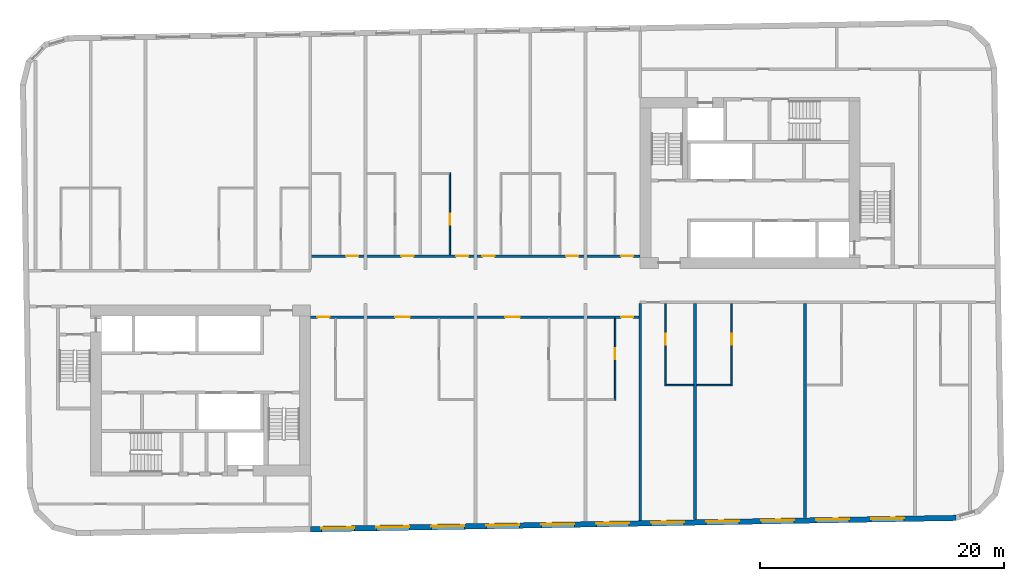
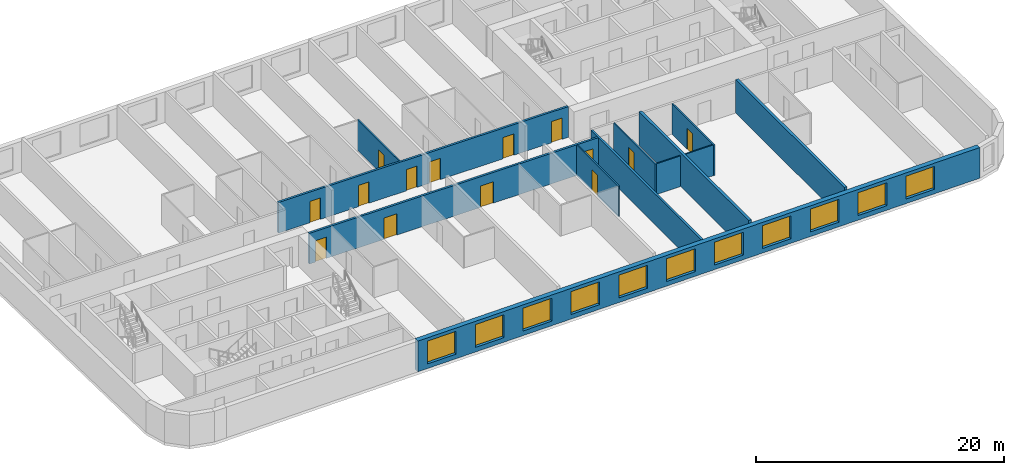
# One storey, part 4 of 11: 14 doors, 12 walls, 11 windows, 25 openings.
"""IFC4 building model written with IfcOpenShell, lengths in metres."""

import ifcopenshell
import ifcopenshell.guid

model = None  # the IFC model being written
_history = None  # IfcOwnerHistory: only IFC2X3 demands one
_inside = {}  # id of a spatial element -> (the spatial element, [elements in it])
_under = {}  # id of a project, library or spatial element -> (it, [spatial elements below it])
_declared = {}  # id of a project -> (the project, [libraries it declares])
_typed = {}  # id of a type object -> (the type object, [elements of that type])
_made_of = {}  # id of a material, layer set ... -> (it, [elements and type objects made of it])


def new_model(schema):
    """Start an empty IFC model of exactly this schema.

    Asked for "IFC4X3", IfcOpenShell would pick the latest addendum, in which some entities
    have other attributes; the version numbers below select the first issue.
    IFC2X3 requires an IfcOwnerHistory on every rooted entity: one is made here for all.
    """
    global model, _history
    if schema == "IFC4X3":
        model = ifcopenshell.file(schema_version=(4, 3, 0, 0))
    else:
        model = ifcopenshell.file(schema=schema)
    _inside.clear()
    _under.clear()
    _declared.clear()
    _typed.clear()
    _made_of.clear()
    _history = None
    if model.schema == "IFC2X3":
        org = make("IfcOrganization", Name="unknown")
        user = make(
            "IfcPersonAndOrganization",
            ThePerson=make("IfcPerson", FamilyName="unknown"),
            TheOrganization=org,
        )
        app = make(
            "IfcApplication",
            ApplicationDeveloper=org,
            Version="unknown",
            ApplicationFullName="unknown",
            ApplicationIdentifier="unknown",
        )
        _history = make(
            "IfcOwnerHistory",
            OwningUser=user,
            OwningApplication=app,
            ChangeAction="ADDED",
            CreationDate=0,
        )
    return model


def make(cls, **values):
    """One entity of the class cls with the attributes given. An attribute that is None is left unset."""
    return model.create_entity(
        cls, **{name: value for name, value in values.items() if value is not None}
    )


def rooted(cls, **values):
    """An entity with a GlobalId (a new one), such as an element, a storey or a relation."""
    return make(cls, GlobalId=ifcopenshell.guid.new(), OwnerHistory=_history, **values)


def si_unit(unit_type, name, prefix=None):
    """IfcSIUnit, for example si_unit("LENGTHUNIT", "METRE", prefix="MILLI")."""
    return make("IfcSIUnit", UnitType=unit_type, Prefix=prefix, Name=name)


def assignment(units):
    """IfcUnitAssignment: the units of a project."""
    return None if units is None else make("IfcUnitAssignment", Units=units)


def point(xyz):
    """IfcCartesianPoint."""
    return None if xyz is None else make("IfcCartesianPoint", Coordinates=xyz)


def direction(xyz):
    """IfcDirection."""
    return None if xyz is None else make("IfcDirection", DirectionRatios=xyz)


def frame(location, z_axis=None, x_axis=None):
    """IfcAxis2Placement3D, a coordinate frame: its origin and axes. An axis left out is left unset."""
    return make(
        "IfcAxis2Placement3D",
        Location=point(location),
        Axis=direction(z_axis),
        RefDirection=direction(x_axis),
    )


def frame_2d(location, x_axis=None):
    """IfcAxis2Placement2D, a coordinate frame in the plane: its origin and x axis."""
    return make(
        "IfcAxis2Placement2D", Location=point(location), RefDirection=direction(x_axis)
    )


def origin():
    """The frame at (0, 0, 0) with its axes left unset."""
    return frame((0.0, 0.0, 0.0))


def place(relative_to, where):
    """IfcLocalPlacement: puts the frame where relative to a parent placement (None: the world)."""
    return make(
        "IfcLocalPlacement", PlacementRelTo=relative_to, RelativePlacement=where
    )


def context(
    kind, dimensions, precision=None, world=None, true_north=None, identifier=None
):
    """IfcGeometricRepresentationContext, for example the 3D "Model" context."""
    return make(
        "IfcGeometricRepresentationContext",
        ContextIdentifier=identifier,
        ContextType=kind,
        CoordinateSpaceDimension=dimensions,
        Precision=precision,
        WorldCoordinateSystem=world,
        TrueNorth=true_north,
    )


def subcontext(parent, identifier, kind, view, scale=None):
    """IfcGeometricRepresentationSubContext, for example "Body" below "Model"."""
    return make(
        "IfcGeometricRepresentationSubContext",
        ContextIdentifier=identifier,
        ContextType=kind,
        ParentContext=parent,
        TargetScale=scale,
        TargetView=view,
    )


def project(units=None, contexts=None):
    """IfcProject with its units and contexts."""
    return rooted(
        "IfcProject",
        Name="project",
        RepresentationContexts=contexts,
        UnitsInContext=assignment(units),
    )


def spatial(cls, under=None, at=None, **own):
    """A site, building, storey or space (cls), placed at a placement, below another one or the project."""
    s = rooted(cls, ObjectPlacement=at, **own)
    if under is not None:
        _under.setdefault(under.id(), (under, []))[1].append(s)
    return s


def profile(cls, at=None, kind="AREA", **sizes):
    """A parametric profile (cls). Its sizes go by their IFC names, for example OverallWidth=200.0."""
    return make(cls, ProfileType=kind, Position=at, **sizes)


def rectangle(**sizes):
    """IfcRectangleProfileDef."""
    return profile("IfcRectangleProfileDef", **sizes)


def extrude(swept, where, along, depth):
    """IfcExtrudedAreaSolid: the profile swept, set in the frame where, extruded along a direction by depth."""
    return make(
        "IfcExtrudedAreaSolid",
        SweptArea=swept,
        Position=where,
        ExtrudedDirection=direction(along),
        Depth=depth,
    )


def shape(context_of_items, identifier, shape_type, items):
    """IfcShapeRepresentation: the items that make up one representation, for example the "Body"."""
    return make(
        "IfcShapeRepresentation",
        ContextOfItems=context_of_items,
        RepresentationIdentifier=identifier,
        RepresentationType=shape_type,
        Items=items,
    )


def material(Name=None, Category=None):
    """IfcMaterial."""
    return make("IfcMaterial", Name=Name, Category=Category)


def layer(
    of_material, thickness, ventilated=None, Name=None, Category=None, Priority=None
):
    """IfcMaterialLayer: one layer of a wall or slab, of a material (None: an air gap)."""
    return make(
        "IfcMaterialLayer",
        Material=of_material,
        LayerThickness=thickness,
        IsVentilated=ventilated,
        Name=Name,
        Category=Category,
        Priority=Priority,
    )


def layer_set(layers, Name=None):
    """IfcMaterialLayerSet."""
    return make("IfcMaterialLayerSet", MaterialLayers=layers, LayerSetName=Name)


def made_of(thing, what):
    """Note that an element or type object is made of a material, layer set ...; save() writes the relation."""
    if what is not None:
        _made_of.setdefault(what.id(), (what, []))[1].append(thing)
    return thing


def type_object(cls, material=None, **own):
    """A type object (cls), such as IfcWallType, which elements share."""
    return made_of(rooted(cls, **own), material)


def element(
    cls,
    number,
    at=None,
    inside=None,
    cuts=None,
    type_object=None,
    material=None,
    context=None,
    identifier="Body",
    shape_type=None,
    held_by="IfcProductDefinitionShape",
    body=None,
    shapes=None,
    **own,
):
    """One element of the class cls, such as IfcWall. Its Tag is "e" and its number.

    at: its placement. inside: the storey or other place that contains it. cuts: it is an
    opening in that element (IfcRelVoidsElement). A single representation is given by context,
    identifier, shape_type and body (its items); several are given by shapes. held_by: the class
    of the entity that holds the representations. save() writes the other relations.
    """
    e = rooted(cls, Tag="e%d" % number, ObjectPlacement=at, **own)
    if body is not None:
        shapes = [shape(context, identifier, shape_type, body)]
    if shapes is not None:
        e.Representation = make(held_by, Representations=shapes)
    if inside is not None:
        _inside.setdefault(inside.id(), (inside, []))[1].append(e)
    if cuts is not None:
        rooted(
            "IfcRelVoidsElement", RelatingBuildingElement=cuts, RelatedOpeningElement=e
        )
    if type_object is not None:
        _typed.setdefault(type_object.id(), (type_object, []))[1].append(e)
    return made_of(e, material)


def fill(opening, filler):
    """IfcRelFillsElement: the door or window that sits in an opening."""
    return rooted(
        "IfcRelFillsElement",
        RelatingOpeningElement=opening,
        RelatedBuildingElement=filler,
    )


def aggregate(whole, parts):
    """IfcRelAggregates: a whole, such as a stair, and the parts it consists of."""
    return rooted("IfcRelAggregates", RelatingObject=whole, RelatedObjects=parts)


def save(model, path):
    """Write the relations noted so far, then the file.

    IfcRelAggregates (storeys below a building ...), IfcRelContainedInSpatialStructure (elements
    in a storey), IfcRelDefinesByType, IfcRelAssociatesMaterial and IfcRelDeclares: one each for
    every whole, place, type object, material and project.
    """
    for whole, parts in _under.values():
        aggregate(whole, parts)
    for where, things in _inside.values():
        rooted(
            "IfcRelContainedInSpatialStructure",
            RelatedElements=things,
            RelatingStructure=where,
        )
    for kind, things in _typed.values():
        rooted("IfcRelDefinesByType", RelatedObjects=things, RelatingType=kind)
    for what, things in _made_of.values():
        rooted("IfcRelAssociatesMaterial", RelatedObjects=things, RelatingMaterial=what)
    for by, libraries in _declared.values():
        rooted("IfcRelDeclares", RelatingContext=by, RelatedDefinitions=libraries)
    model.write(path)


model = new_model("IFC4")

# Units and contexts
model_context = context("Model", 3, precision=1e-05, world=origin(), true_north=direction((0.0, 1.0)))
body_context = subcontext(model_context, "Body", "Model", "MODEL_VIEW")
ifc_project = project(units=[si_unit("LENGTHUNIT", "METRE"), si_unit("AREAUNIT", "SQUARE_METRE"), si_unit("VOLUMEUNIT", "CUBIC_METRE"), si_unit("PLANEANGLEUNIT", "RADIAN"), si_unit("MASSUNIT", "GRAM", prefix="KILO")], contexts=[model_context])

# Site, building, storey
site_placement = place(None, origin())
site = spatial("IfcSite", under=ifc_project, at=site_placement, CompositionType="ELEMENT")
building_placement = place(site_placement, origin())
building = spatial("IfcBuilding", under=site, at=building_placement, Name="Kajstack Hotel Tower", CompositionType="ELEMENT")
storey_placement = place(building_placement, frame((0.0, 0.0, 221.0)))
storey = spatial("IfcBuildingStorey", under=building, at=storey_placement, Name="L53", CompositionType="ELEMENT", Elevation=221.0)

# Wall, openings, doors
ifc_material_1 = material(Name="Gypsum board on steel studs, mineral wool", Category="steel")
ifc_layer_1 = layer(ifc_material_1, 0.199951171875)
ifc_layer_set_1 = layer_set([ifc_layer_1], Name="Corridor wall 200")
wall_type_1 = type_object("IfcWallType", Name="Corridor wall 200", PredefinedType="PARTITIONING", material=ifc_layer_set_1)
wall_1_placement = place(storey_placement, frame((-13.5, 2.5, 0.0), z_axis=(0.0, 0.0, 1.0), x_axis=(1.0, 0.0, 0.0)))
wall_1 = element("IfcWall", 1, at=wall_1_placement, inside=storey, type_object=wall_type_1, Name="G-wall-L53-004", PredefinedType="PARTITIONING", context=body_context, shape_type="SweptSolid", body=[
    extrude(rectangle(XDim=27.0, YDim=0.199951171875, at=frame_2d((13.5, 0.0))), origin(), (0.0, 0.0, 1.0), 3.02001953125),
])
opening_1_placement = place(wall_1_placement, frame((2.925048828125, 0.0, 0.0)))
opening_1 = element("IfcOpeningElement", 2, at=opening_1_placement, cuts=wall_1, Name="Opening 53009", PredefinedType="OPENING", context=body_context, shape_type="SweptSolid", body=[
    extrude(rectangle(XDim=1.0, YDim=2.10009765625, at=frame_2d((0.5, 1.050048828125))), frame((0.0, 0.10986328125, 0.0), z_axis=(0.0, -1.0, 0.0), x_axis=(1.0, 0.0, 0.0)), (0.0, 0.0, 1.0), 0.219970703125),
])
opening_2_placement = place(wall_1_placement, frame((7.449951171875, 0.0, 0.0)))
opening_2 = element("IfcOpeningElement", 3, at=opening_2_placement, cuts=wall_1, Name="Opening 53011", PredefinedType="OPENING", context=body_context, shape_type="SweptSolid", body=[
    extrude(rectangle(XDim=1.0, YDim=2.10009765625, at=frame_2d((0.5, 1.050048828125))), frame((0.0, 0.10986328125, 0.0), z_axis=(0.0, -1.0, 0.0), x_axis=(1.0, 0.0, 0.0)), (0.0, 0.0, 1.0), 0.219970703125),
])
opening_3_placement = place(wall_1_placement, frame((11.925048828125, 0.0, 0.0)))
opening_3 = element("IfcOpeningElement", 4, at=opening_3_placement, cuts=wall_1, Name="Opening 53013", PredefinedType="OPENING", context=body_context, shape_type="SweptSolid", body=[
    extrude(rectangle(XDim=1.0, YDim=2.10009765625, at=frame_2d((0.5, 1.050048828125))), frame((0.0, 0.10986328125, 0.0), z_axis=(0.0, -1.0, 0.0), x_axis=(1.0, 0.0, 0.0)), (0.0, 0.0, 1.0), 0.219970703125),
])
opening_4_placement = place(wall_1_placement, frame((14.074951171875, 0.0, 0.0)))
opening_4 = element("IfcOpeningElement", 5, at=opening_4_placement, cuts=wall_1, Name="Opening 53015", PredefinedType="OPENING", context=body_context, shape_type="SweptSolid", body=[
    extrude(rectangle(XDim=1.0, YDim=2.10009765625, at=frame_2d((0.5, 1.050048828125))), frame((0.0, 0.10986328125, 0.0), z_axis=(0.0, -1.0, 0.0), x_axis=(1.0, 0.0, 0.0)), (0.0, 0.0, 1.0), 0.219970703125),
])
opening_5_placement = place(wall_1_placement, frame((20.925048828125, 0.0, 0.0)))
opening_5 = element("IfcOpeningElement", 6, at=opening_5_placement, cuts=wall_1, Name="Opening 53017", PredefinedType="OPENING", context=body_context, shape_type="SweptSolid", body=[
    extrude(rectangle(XDim=1.0, YDim=2.10009765625, at=frame_2d((0.5, 1.050048828125))), frame((0.0, 0.10986328125, 0.0), z_axis=(0.0, -1.0, 0.0), x_axis=(1.0, 0.0, 0.0)), (0.0, 0.0, 1.0), 0.219970703125),
])
opening_6_placement = place(wall_1_placement, frame((25.425048828125, 0.0, 0.0)))
opening_6 = element("IfcOpeningElement", 7, at=opening_6_placement, cuts=wall_1, Name="Opening 53019", PredefinedType="OPENING", context=body_context, shape_type="SweptSolid", body=[
    extrude(rectangle(XDim=1.0, YDim=2.10009765625, at=frame_2d((0.5, 1.050048828125))), frame((0.0, 0.10986328125, 0.0), z_axis=(0.0, -1.0, 0.0), x_axis=(1.0, 0.0, 0.0)), (0.0, 0.0, 1.0), 0.219970703125),
])
ifc_material_2 = material(Name="Oak veneer on timber core, fire-rated leaf", Category="wood")
door_type_1 = type_object("IfcDoorType", Name="Flat entrance door 1000", OperationType="SINGLE_SWING_LEFT", PredefinedType="DOOR", material=ifc_material_2)
door_1_placement = place(opening_1_placement, origin())
door_1 = element("IfcDoor", 8, at=door_1_placement, inside=storey, type_object=door_type_1, Name="G-door-L53-09", OperationType="SINGLE_SWING_RIGHT", OverallHeight=2.10009765625, OverallWidth=1.0, PredefinedType="DOOR", context=body_context, shape_type="SweptSolid", body=[
    extrude(rectangle(XDim=1.0, YDim=2.10009765625, at=frame_2d((0.5, 1.050048828125))), frame((0.0, 0.02490234375, 0.0), z_axis=(0.0, -1.0, 0.0), x_axis=(1.0, 0.0, 0.0)), (0.0, 0.0, 1.0), 0.050048828125),
])
fill(opening_1, door_1)
door_2_placement = place(opening_2_placement, origin())
door_2 = element("IfcDoor", 9, at=door_2_placement, inside=storey, type_object=door_type_1, Name="G-door-L53-11", OperationType="SINGLE_SWING_LEFT", OverallHeight=2.10009765625, OverallWidth=1.0, PredefinedType="DOOR", context=body_context, shape_type="SweptSolid", body=[
    extrude(rectangle(XDim=1.0, YDim=2.10009765625, at=frame_2d((0.5, 1.050048828125))), frame((0.0, 0.02490234375, 0.0), z_axis=(0.0, -1.0, 0.0), x_axis=(1.0, 0.0, 0.0)), (0.0, 0.0, 1.0), 0.050048828125),
])
fill(opening_2, door_2)
door_3_placement = place(opening_3_placement, origin())
door_3 = element("IfcDoor", 10, at=door_3_placement, inside=storey, type_object=door_type_1, Name="G-door-L53-13", OperationType="SINGLE_SWING_LEFT", OverallHeight=2.10009765625, OverallWidth=1.0, PredefinedType="DOOR", context=body_context, shape_type="SweptSolid", body=[
    extrude(rectangle(XDim=1.0, YDim=2.10009765625, at=frame_2d((0.5, 1.050048828125))), frame((0.0, 0.02490234375, 0.0), z_axis=(0.0, -1.0, 0.0), x_axis=(1.0, 0.0, 0.0)), (0.0, 0.0, 1.0), 0.050048828125),
])
fill(opening_3, door_3)
door_4_placement = place(opening_4_placement, origin())
door_4 = element("IfcDoor", 11, at=door_4_placement, inside=storey, type_object=door_type_1, Name="G-door-L53-15", OperationType="SINGLE_SWING_RIGHT", OverallHeight=2.10009765625, OverallWidth=1.0, PredefinedType="DOOR", context=body_context, shape_type="SweptSolid", body=[
    extrude(rectangle(XDim=1.0, YDim=2.10009765625, at=frame_2d((0.5, 1.050048828125))), frame((0.0, 0.02490234375, 0.0), z_axis=(0.0, -1.0, 0.0), x_axis=(1.0, 0.0, 0.0)), (0.0, 0.0, 1.0), 0.050048828125),
])
fill(opening_4, door_4)
door_5_placement = place(opening_5_placement, origin())
door_5 = element("IfcDoor", 12, at=door_5_placement, inside=storey, type_object=door_type_1, Name="G-door-L53-17", OperationType="SINGLE_SWING_RIGHT", OverallHeight=2.10009765625, OverallWidth=1.0, PredefinedType="DOOR", context=body_context, shape_type="SweptSolid", body=[
    extrude(rectangle(XDim=1.0, YDim=2.10009765625, at=frame_2d((0.5, 1.050048828125))), frame((0.0, 0.02490234375, 0.0), z_axis=(0.0, -1.0, 0.0), x_axis=(1.0, 0.0, 0.0)), (0.0, 0.0, 1.0), 0.050048828125),
])
fill(opening_5, door_5)
door_6_placement = place(opening_6_placement, origin())
door_6 = element("IfcDoor", 13, at=door_6_placement, inside=storey, type_object=door_type_1, Name="G-door-L53-19", OperationType="SINGLE_SWING_LEFT", OverallHeight=2.10009765625, OverallWidth=1.0, PredefinedType="DOOR", context=body_context, shape_type="SweptSolid", body=[
    extrude(rectangle(XDim=1.0, YDim=2.10009765625, at=frame_2d((0.5, 1.050048828125))), frame((0.0, 0.02490234375, 0.0), z_axis=(0.0, -1.0, 0.0), x_axis=(1.0, 0.0, 0.0)), (0.0, 0.0, 1.0), 0.050048828125),
])
fill(opening_6, door_6)

wall_2_placement = place(storey_placement, frame((-13.5, -2.5, 0.0), z_axis=(0.0, 0.0, 1.0), x_axis=(1.0, 0.0, 0.0)))
wall_2 = element("IfcWall", 14, at=wall_2_placement, inside=storey, type_object=wall_type_1, Name="G-wall-L53-029", PredefinedType="PARTITIONING", context=body_context, shape_type="SweptSolid", body=[
    extrude(rectangle(XDim=27.0, YDim=0.199951171875, at=frame_2d((13.5, 0.0))), origin(), (0.0, 0.0, 1.0), 3.02001953125),
])
opening_7_placement = place(wall_2_placement, frame((0.574951171875, 0.0, 0.0)))
opening_7 = element("IfcOpeningElement", 15, at=opening_7_placement, cuts=wall_2, Name="Opening 53021", PredefinedType="OPENING", context=body_context, shape_type="SweptSolid", body=[
    extrude(rectangle(XDim=1.0, YDim=2.10009765625, at=frame_2d((0.5, 1.050048828125))), frame((0.0, 0.10986328125, 0.0), z_axis=(0.0, -1.0, 0.0), x_axis=(1.0, 0.0, 0.0)), (0.0, 0.0, 1.0), 0.219970703125),
])
opening_8_placement = place(wall_2_placement, frame((6.93798828125, 0.0, 0.0)))
opening_8 = element("IfcOpeningElement", 16, at=opening_8_placement, cuts=wall_2, Name="Opening 53023", PredefinedType="OPENING", context=body_context, shape_type="SweptSolid", body=[
    extrude(rectangle(XDim=1.199951171875, YDim=2.10009765625, at=frame_2d((0.60009765625, 1.050048828125))), frame((0.0, 0.10986328125, 0.0), z_axis=(0.0, -1.0, 0.0), x_axis=(1.0, 0.0, 0.0)), (0.0, 0.0, 1.0), 0.219970703125),
])
opening_9_placement = place(wall_2_placement, frame((15.93798828125, 0.0, 0.0)))
opening_9 = element("IfcOpeningElement", 17, at=opening_9_placement, cuts=wall_2, Name="Opening 53025", PredefinedType="OPENING", context=body_context, shape_type="SweptSolid", body=[
    extrude(rectangle(XDim=1.199951171875, YDim=2.10009765625, at=frame_2d((0.60009765625, 1.050048828125))), frame((0.0, 0.10986328125, 0.0), z_axis=(0.0, -1.0, 0.0), x_axis=(1.0, 0.0, 0.0)), (0.0, 0.0, 1.0), 0.219970703125),
])
opening_10_placement = place(wall_2_placement, frame((25.425048828125, 0.0, 0.0)))
opening_10 = element("IfcOpeningElement", 18, at=opening_10_placement, cuts=wall_2, Name="Opening 53027", PredefinedType="OPENING", context=body_context, shape_type="SweptSolid", body=[
    extrude(rectangle(XDim=1.0, YDim=2.10009765625, at=frame_2d((0.5, 1.050048828125))), frame((0.0, 0.10986328125, 0.0), z_axis=(0.0, -1.0, 0.0), x_axis=(1.0, 0.0, 0.0)), (0.0, 0.0, 1.0), 0.219970703125),
])
door_7_placement = place(opening_7_placement, origin())
door_7 = element("IfcDoor", 19, at=door_7_placement, inside=storey, type_object=door_type_1, Name="G-door-L53-21", OperationType="SINGLE_SWING_LEFT", OverallHeight=2.10009765625, OverallWidth=1.0, PredefinedType="DOOR", context=body_context, shape_type="SweptSolid", body=[
    extrude(rectangle(XDim=1.0, YDim=2.10009765625, at=frame_2d((0.5, 1.050048828125))), frame((0.0, 0.02490234375, 0.0), z_axis=(0.0, -1.0, 0.0), x_axis=(1.0, 0.0, 0.0)), (0.0, 0.0, 1.0), 0.050048828125),
])
fill(opening_7, door_7)
door_8_placement = place(opening_10_placement, origin())
door_8 = element("IfcDoor", 20, at=door_8_placement, inside=storey, type_object=door_type_1, Name="G-door-L53-27", OperationType="SINGLE_SWING_RIGHT", OverallHeight=2.10009765625, OverallWidth=1.0, PredefinedType="DOOR", context=body_context, shape_type="SweptSolid", body=[
    extrude(rectangle(XDim=1.0, YDim=2.10009765625, at=frame_2d((0.5, 1.050048828125))), frame((0.0, 0.02490234375, 0.0), z_axis=(0.0, -1.0, 0.0), x_axis=(1.0, 0.0, 0.0)), (0.0, 0.0, 1.0), 0.050048828125),
])
fill(opening_10, door_8)
door_type_2 = type_object("IfcDoorType", Name="Flat entrance door 1200", OperationType="SINGLE_SWING_LEFT", PredefinedType="DOOR", material=ifc_material_2)
door_9_placement = place(opening_8_placement, origin())
door_9 = element("IfcDoor", 21, at=door_9_placement, inside=storey, type_object=door_type_2, Name="G-door-L53-23", OperationType="SINGLE_SWING_RIGHT", OverallHeight=2.10009765625, OverallWidth=1.199951171875, PredefinedType="DOOR", context=body_context, shape_type="SweptSolid", body=[
    extrude(rectangle(XDim=1.199951171875, YDim=2.10009765625, at=frame_2d((0.60009765625, 1.050048828125))), frame((0.0, 0.02490234375, 0.0), z_axis=(0.0, -1.0, 0.0), x_axis=(1.0, 0.0, 0.0)), (0.0, 0.0, 1.0), 0.050048828125),
])
fill(opening_8, door_9)
door_10_placement = place(opening_9_placement, origin())
door_10 = element("IfcDoor", 22, at=door_10_placement, inside=storey, type_object=door_type_2, Name="G-door-L53-25", OperationType="SINGLE_SWING_RIGHT", OverallHeight=2.10009765625, OverallWidth=1.199951171875, PredefinedType="DOOR", context=body_context, shape_type="SweptSolid", body=[
    extrude(rectangle(XDim=1.199951171875, YDim=2.10009765625, at=frame_2d((0.60009765625, 1.050048828125))), frame((0.0, 0.02490234375, 0.0), z_axis=(0.0, -1.0, 0.0), x_axis=(1.0, 0.0, 0.0)), (0.0, 0.0, 1.0), 0.050048828125),
])
fill(opening_9, door_10)

# Wall
ifc_material_3 = material(Name="Twin-frame gypsum board on steel studs, mineral wool", Category="steel")
ifc_layer_2 = layer(ifc_material_3, 0.199951171875)
ifc_layer_set_2 = layer_set([ifc_layer_2], Name="Demising wall 200")
wall_type_2 = type_object("IfcWallType", Name="Demising wall 200", PredefinedType="PARTITIONING", material=ifc_layer_set_2)
wall_3_placement = place(storey_placement, frame((13.5, -19.169921875, 0.0), z_axis=(0.0, 0.0, 1.0), x_axis=(0.0, 1.0, 0.0)))
element("IfcWall", 23, at=wall_3_placement, inside=storey, type_object=wall_type_2, Name="G-wall-L53-037", PredefinedType="PARTITIONING", context=body_context, shape_type="SweptSolid", body=[
    extrude(rectangle(XDim=17.77001953125, YDim=0.199951171875, at=frame_2d((8.885009765625, 0.0))), origin(), (0.0, 0.0, 1.0), 3.02001953125),
])

# Wall, openings, windows
ifc_material_4 = material(Name="Terracotta-faced brick masonry", Category="masonry")
ifc_layer_3 = layer(ifc_material_4, 0.449951171875)
ifc_layer_set_3 = layer_set([ifc_layer_3], Name="EW-TERRA")
wall_type_3 = type_object("IfcWallType", Name="EW-TERRA", PredefinedType="SOLIDWALL", material=ifc_layer_set_3)
wall_4_placement = place(storey_placement, frame((-13.50390625, -19.8662109375, 0.0), z_axis=(0.0, 0.0, 1.0), x_axis=(0.999847672978, 0.017453676992, 0.0)))
wall_4 = element("IfcWall", 24, at=wall_4_placement, inside=storey, type_object=wall_type_3, Name="E-wall-L53-04-02", PredefinedType="SOLIDWALL", context=body_context, shape_type="SweptSolid", body=[
    extrude(rectangle(XDim=52.8603515625, YDim=0.449951171875, at=frame_2d((26.43017578125, 0.0))), origin(), (0.0, 0.0, 1.0), 3.02001953125),
])
opening_11_placement = place(wall_4_placement, frame((0.900390625, 0.0, 0.449951171875)))
opening_11 = element("IfcOpeningElement", 25, at=opening_11_placement, cuts=wall_4, Name="Opening W1", PredefinedType="OPENING", context=body_context, shape_type="SweptSolid", body=[
    extrude(rectangle(XDim=2.699951171875, YDim=2.25, at=frame_2d((1.35009765625, 1.125))), frame((0.0, 0.23486328125, 0.0), z_axis=(0.0, -1.0, 0.0), x_axis=(1.0, 0.0, 0.0)), (0.0, 0.0, 1.0), 0.469970703125),
])
opening_12_placement = place(wall_4_placement, frame((5.40087890625, 0.0, 0.449951171875)))
opening_12 = element("IfcOpeningElement", 26, at=opening_12_placement, cuts=wall_4, Name="Opening W1", PredefinedType="OPENING", context=body_context, shape_type="SweptSolid", body=[
    extrude(rectangle(XDim=2.699951171875, YDim=2.25, at=frame_2d((1.35009765625, 1.125))), frame((0.0, 0.23486328125, 0.0), z_axis=(0.0, -1.0, 0.0), x_axis=(1.0, 0.0, 0.0)), (0.0, 0.0, 1.0), 0.469970703125),
])
opening_13_placement = place(wall_4_placement, frame((9.901611328125, 0.0, 0.449951171875)))
opening_13 = element("IfcOpeningElement", 27, at=opening_13_placement, cuts=wall_4, Name="Opening W1", PredefinedType="OPENING", context=body_context, shape_type="SweptSolid", body=[
    extrude(rectangle(XDim=2.699951171875, YDim=2.25, at=frame_2d((1.35009765625, 1.125))), frame((0.0, 0.23486328125, 0.0), z_axis=(0.0, -1.0, 0.0), x_axis=(1.0, 0.0, 0.0)), (0.0, 0.0, 1.0), 0.469970703125),
])
opening_14_placement = place(wall_4_placement, frame((14.40234375, 0.0, 0.449951171875)))
opening_14 = element("IfcOpeningElement", 28, at=opening_14_placement, cuts=wall_4, Name="Opening W1", PredefinedType="OPENING", context=body_context, shape_type="SweptSolid", body=[
    extrude(rectangle(XDim=2.699951171875, YDim=2.25, at=frame_2d((1.35009765625, 1.125))), frame((0.0, 0.23486328125, 0.0), z_axis=(0.0, -1.0, 0.0), x_axis=(1.0, 0.0, 0.0)), (0.0, 0.0, 1.0), 0.469970703125),
])
opening_15_placement = place(wall_4_placement, frame((18.903076171875, 0.0, 0.449951171875)))
opening_15 = element("IfcOpeningElement", 29, at=opening_15_placement, cuts=wall_4, Name="Opening W1", PredefinedType="OPENING", context=body_context, shape_type="SweptSolid", body=[
    extrude(rectangle(XDim=2.699951171875, YDim=2.25, at=frame_2d((1.35009765625, 1.125))), frame((0.0, 0.23486328125, 0.0), z_axis=(0.0, -1.0, 0.0), x_axis=(1.0, 0.0, 0.0)), (0.0, 0.0, 1.0), 0.469970703125),
])
opening_16_placement = place(wall_4_placement, frame((23.40380859375, 0.0, 0.449951171875)))
opening_16 = element("IfcOpeningElement", 30, at=opening_16_placement, cuts=wall_4, Name="Opening W1", PredefinedType="OPENING", context=body_context, shape_type="SweptSolid", body=[
    extrude(rectangle(XDim=2.699951171875, YDim=2.25, at=frame_2d((1.35009765625, 1.125))), frame((0.0, 0.23486328125, 0.0), z_axis=(0.0, -1.0, 0.0), x_axis=(1.0, 0.0, 0.0)), (0.0, 0.0, 1.0), 0.469970703125),
])
opening_17_placement = place(wall_4_placement, frame((27.904296875, 0.0, 0.449951171875)))
opening_17 = element("IfcOpeningElement", 31, at=opening_17_placement, cuts=wall_4, Name="Opening W1", PredefinedType="OPENING", context=body_context, shape_type="SweptSolid", body=[
    extrude(rectangle(XDim=2.699951171875, YDim=2.25, at=frame_2d((1.35009765625, 1.125))), frame((0.0, 0.23486328125, 0.0), z_axis=(0.0, -1.0, 0.0), x_axis=(1.0, 0.0, 0.0)), (0.0, 0.0, 1.0), 0.469970703125),
])
opening_18_placement = place(wall_4_placement, frame((32.405029296875, 0.0, 0.449951171875)))
opening_18 = element("IfcOpeningElement", 32, at=opening_18_placement, cuts=wall_4, Name="Opening W1", PredefinedType="OPENING", context=body_context, shape_type="SweptSolid", body=[
    extrude(rectangle(XDim=2.699951171875, YDim=2.25, at=frame_2d((1.35009765625, 1.125))), frame((0.0, 0.23486328125, 0.0), z_axis=(0.0, -1.0, 0.0), x_axis=(1.0, 0.0, 0.0)), (0.0, 0.0, 1.0), 0.469970703125),
])
opening_19_placement = place(wall_4_placement, frame((36.90576171875, 0.0, 0.449951171875)))
opening_19 = element("IfcOpeningElement", 33, at=opening_19_placement, cuts=wall_4, Name="Opening W1", PredefinedType="OPENING", context=body_context, shape_type="SweptSolid", body=[
    extrude(rectangle(XDim=2.699951171875, YDim=2.25, at=frame_2d((1.35009765625, 1.125))), frame((0.0, 0.23486328125, 0.0), z_axis=(0.0, -1.0, 0.0), x_axis=(1.0, 0.0, 0.0)), (0.0, 0.0, 1.0), 0.469970703125),
])
opening_20_placement = place(wall_4_placement, frame((41.406494140625, 0.0, 0.449951171875)))
opening_20 = element("IfcOpeningElement", 34, at=opening_20_placement, cuts=wall_4, Name="Opening W1", PredefinedType="OPENING", context=body_context, shape_type="SweptSolid", body=[
    extrude(rectangle(XDim=2.699951171875, YDim=2.25, at=frame_2d((1.35009765625, 1.125))), frame((0.0, 0.23486328125, 0.0), z_axis=(0.0, -1.0, 0.0), x_axis=(1.0, 0.0, 0.0)), (0.0, 0.0, 1.0), 0.469970703125),
])
opening_21_placement = place(wall_4_placement, frame((45.9072265625, 0.0, 0.449951171875)))
opening_21 = element("IfcOpeningElement", 35, at=opening_21_placement, cuts=wall_4, Name="Opening W1", PredefinedType="OPENING", context=body_context, shape_type="SweptSolid", body=[
    extrude(rectangle(XDim=2.699951171875, YDim=2.25, at=frame_2d((1.35009765625, 1.125))), frame((0.0, 0.23486328125, 0.0), z_axis=(0.0, -1.0, 0.0), x_axis=(1.0, 0.0, 0.0)), (0.0, 0.0, 1.0), 0.469970703125),
])
ifc_material_5 = material(Name="Timber-aluminium window, triple glazed", Category="wood")
window_type = type_object("IfcWindowType", Name="WG1", PartitioningType="SINGLE_PANEL", PredefinedType="WINDOW", material=ifc_material_5)
window_1_placement = place(opening_11_placement, origin())
window_1 = element("IfcWindow", 36, at=window_1_placement, inside=storey, type_object=window_type, Name="Window W1 L53-04", OverallHeight=2.25, OverallWidth=2.699951171875, PartitioningType="SINGLE_PANEL", PredefinedType="WINDOW", context=body_context, shape_type="SweptSolid", body=[
    extrude(rectangle(XDim=2.699951171875, YDim=2.25, at=frame_2d((1.35009765625, 1.125))), frame((0.0, 0.090087890625, 0.0), z_axis=(0.0, -1.0, 0.0), x_axis=(1.0, 0.0, 0.0)), (0.0, 0.0, 1.0), 0.06005859375),
])
fill(opening_11, window_1)
window_2_placement = place(opening_12_placement, origin())
window_2 = element("IfcWindow", 37, at=window_2_placement, inside=storey, type_object=window_type, Name="Window W1 L53-04", OverallHeight=2.25, OverallWidth=2.699951171875, PartitioningType="SINGLE_PANEL", PredefinedType="WINDOW", context=body_context, shape_type="SweptSolid", body=[
    extrude(rectangle(XDim=2.699951171875, YDim=2.25, at=frame_2d((1.35009765625, 1.125))), frame((0.0, 0.090087890625, 0.0), z_axis=(0.0, -1.0, 0.0), x_axis=(1.0, 0.0, 0.0)), (0.0, 0.0, 1.0), 0.06005859375),
])
fill(opening_12, window_2)
window_3_placement = place(opening_13_placement, origin())
window_3 = element("IfcWindow", 38, at=window_3_placement, inside=storey, type_object=window_type, Name="Window W1 L53-04", OverallHeight=2.25, OverallWidth=2.699951171875, PartitioningType="SINGLE_PANEL", PredefinedType="WINDOW", context=body_context, shape_type="SweptSolid", body=[
    extrude(rectangle(XDim=2.699951171875, YDim=2.25, at=frame_2d((1.35009765625, 1.125))), frame((0.0, 0.090087890625, 0.0), z_axis=(0.0, -1.0, 0.0), x_axis=(1.0, 0.0, 0.0)), (0.0, 0.0, 1.0), 0.06005859375),
])
fill(opening_13, window_3)
window_4_placement = place(opening_14_placement, origin())
window_4 = element("IfcWindow", 39, at=window_4_placement, inside=storey, type_object=window_type, Name="Window W1 L53-04", OverallHeight=2.25, OverallWidth=2.699951171875, PartitioningType="SINGLE_PANEL", PredefinedType="WINDOW", context=body_context, shape_type="SweptSolid", body=[
    extrude(rectangle(XDim=2.699951171875, YDim=2.25, at=frame_2d((1.35009765625, 1.125))), frame((0.0, 0.090087890625, 0.0), z_axis=(0.0, -1.0, 0.0), x_axis=(1.0, 0.0, 0.0)), (0.0, 0.0, 1.0), 0.06005859375),
])
fill(opening_14, window_4)
window_5_placement = place(opening_15_placement, origin())
window_5 = element("IfcWindow", 40, at=window_5_placement, inside=storey, type_object=window_type, Name="Window W1 L53-04", OverallHeight=2.25, OverallWidth=2.699951171875, PartitioningType="SINGLE_PANEL", PredefinedType="WINDOW", context=body_context, shape_type="SweptSolid", body=[
    extrude(rectangle(XDim=2.699951171875, YDim=2.25, at=frame_2d((1.35009765625, 1.125))), frame((0.0, 0.090087890625, 0.0), z_axis=(0.0, -1.0, 0.0), x_axis=(1.0, 0.0, 0.0)), (0.0, 0.0, 1.0), 0.06005859375),
])
fill(opening_15, window_5)
window_6_placement = place(opening_16_placement, origin())
window_6 = element("IfcWindow", 41, at=window_6_placement, inside=storey, type_object=window_type, Name="Window W1 L53-04", OverallHeight=2.25, OverallWidth=2.699951171875, PartitioningType="SINGLE_PANEL", PredefinedType="WINDOW", context=body_context, shape_type="SweptSolid", body=[
    extrude(rectangle(XDim=2.699951171875, YDim=2.25, at=frame_2d((1.35009765625, 1.125))), frame((0.0, 0.090087890625, 0.0), z_axis=(0.0, -1.0, 0.0), x_axis=(1.0, 0.0, 0.0)), (0.0, 0.0, 1.0), 0.06005859375),
])
fill(opening_16, window_6)
window_7_placement = place(opening_17_placement, origin())
window_7 = element("IfcWindow", 42, at=window_7_placement, inside=storey, type_object=window_type, Name="Window W1 L53-04", OverallHeight=2.25, OverallWidth=2.699951171875, PartitioningType="SINGLE_PANEL", PredefinedType="WINDOW", context=body_context, shape_type="SweptSolid", body=[
    extrude(rectangle(XDim=2.699951171875, YDim=2.25, at=frame_2d((1.35009765625, 1.125))), frame((0.0, 0.090087890625, 0.0), z_axis=(0.0, -1.0, 0.0), x_axis=(1.0, 0.0, 0.0)), (0.0, 0.0, 1.0), 0.06005859375),
])
fill(opening_17, window_7)
window_8_placement = place(opening_18_placement, origin())
window_8 = element("IfcWindow", 43, at=window_8_placement, inside=storey, type_object=window_type, Name="Window W1 L53-04", OverallHeight=2.25, OverallWidth=2.699951171875, PartitioningType="SINGLE_PANEL", PredefinedType="WINDOW", context=body_context, shape_type="SweptSolid", body=[
    extrude(rectangle(XDim=2.699951171875, YDim=2.25, at=frame_2d((1.35009765625, 1.125))), frame((0.0, 0.090087890625, 0.0), z_axis=(0.0, -1.0, 0.0), x_axis=(1.0, 0.0, 0.0)), (0.0, 0.0, 1.0), 0.06005859375),
])
fill(opening_18, window_8)
window_9_placement = place(opening_19_placement, origin())
window_9 = element("IfcWindow", 44, at=window_9_placement, inside=storey, type_object=window_type, Name="Window W1 L53-04", OverallHeight=2.25, OverallWidth=2.699951171875, PartitioningType="SINGLE_PANEL", PredefinedType="WINDOW", context=body_context, shape_type="SweptSolid", body=[
    extrude(rectangle(XDim=2.699951171875, YDim=2.25, at=frame_2d((1.35009765625, 1.125))), frame((0.0, 0.090087890625, 0.0), z_axis=(0.0, -1.0, 0.0), x_axis=(1.0, 0.0, 0.0)), (0.0, 0.0, 1.0), 0.06005859375),
])
fill(opening_19, window_9)
window_10_placement = place(opening_20_placement, origin())
window_10 = element("IfcWindow", 45, at=window_10_placement, inside=storey, type_object=window_type, Name="Window W1 L53-04", OverallHeight=2.25, OverallWidth=2.699951171875, PartitioningType="SINGLE_PANEL", PredefinedType="WINDOW", context=body_context, shape_type="SweptSolid", body=[
    extrude(rectangle(XDim=2.699951171875, YDim=2.25, at=frame_2d((1.35009765625, 1.125))), frame((0.0, 0.090087890625, 0.0), z_axis=(0.0, -1.0, 0.0), x_axis=(1.0, 0.0, 0.0)), (0.0, 0.0, 1.0), 0.06005859375),
])
fill(opening_20, window_10)
window_11_placement = place(opening_21_placement, origin())
window_11 = element("IfcWindow", 46, at=window_11_placement, inside=storey, type_object=window_type, Name="Window W1 L53-04", OverallHeight=2.25, OverallWidth=2.699951171875, PartitioningType="SINGLE_PANEL", PredefinedType="WINDOW", context=body_context, shape_type="SweptSolid", body=[
    extrude(rectangle(XDim=2.699951171875, YDim=2.25, at=frame_2d((1.35009765625, 1.125))), frame((0.0, 0.090087890625, 0.0), z_axis=(0.0, -1.0, 0.0), x_axis=(1.0, 0.0, 0.0)), (0.0, 0.0, 1.0), 0.06005859375),
])
fill(opening_21, window_11)

# Wall, opening, door
ifc_material_6 = material(Name="Gypsum board and tiled backer on steel studs", Category="steel")
ifc_layer_4 = layer(ifc_material_6, 0.125)
ifc_layer_set_4 = layer_set([ifc_layer_4], Name="En-suite wall 125")
wall_type_4 = type_object("IfcWallType", Name="En-suite wall 125", PredefinedType="PARTITIONING", material=ifc_layer_set_4)
wall_5_placement = place(storey_placement, frame((-2.0869140625, 2.60009765625, 0.0), z_axis=(0.0, 0.0, 1.0), x_axis=(0.0, 1.0, 0.0)))
wall_5 = element("IfcWall", 47, at=wall_5_placement, inside=storey, type_object=wall_type_4, Name="G-wall-L53-020", PredefinedType="PARTITIONING", context=body_context, shape_type="SweptSolid", body=[
    extrude(rectangle(XDim=6.724853515625, YDim=0.125, at=frame_2d((3.3623046875, 0.0))), origin(), (0.0, 0.0, 1.0), 3.02001953125),
])
opening_22_placement = place(wall_5_placement, frame((2.449951171875, 0.0, 0.0)))
opening_22 = element("IfcOpeningElement", 48, at=opening_22_placement, cuts=wall_5, Name="Opening 53014", PredefinedType="OPENING", context=body_context, shape_type="SweptSolid", body=[
    extrude(rectangle(XDim=0.89990234375, YDim=2.10009765625, at=frame_2d((0.449951171875, 1.050048828125))), frame((0.0, 0.072509765625, 0.0), z_axis=(0.0, -1.0, 0.0), x_axis=(1.0, 0.0, 0.0)), (0.0, 0.0, 1.0), 0.14501953125),
])
ifc_material_7 = material(Name="Painted timber door leaf", Category="wood")
door_type_3 = type_object("IfcDoorType", Name="Room door 900", OperationType="SINGLE_SWING_LEFT", PredefinedType="DOOR", material=ifc_material_7)
door_11_placement = place(opening_22_placement, origin())
door_11 = element("IfcDoor", 49, at=door_11_placement, inside=storey, type_object=door_type_3, Name="G-door-L53-14", OperationType="SINGLE_SWING_LEFT", OverallHeight=2.10009765625, OverallWidth=0.89990234375, PredefinedType="DOOR", context=body_context, shape_type="SweptSolid", body=[
    extrude(rectangle(XDim=0.89990234375, YDim=2.10009765625, at=frame_2d((0.449951171875, 1.050048828125))), frame((0.0, 0.02490234375, 0.0), z_axis=(0.0, -1.0, 0.0), x_axis=(1.0, 0.0, 0.0)), (0.0, 0.0, 1.0), 0.050048828125),
])
fill(opening_22, door_11)

wall_6_placement = place(storey_placement, frame((11.43798828125, -9.324951171875, 0.0), z_axis=(0.0, 0.0, 1.0), x_axis=(0.0, 1.0, 0.0)))
wall_6 = element("IfcWall", 50, at=wall_6_placement, inside=storey, type_object=wall_type_4, Name="G-wall-L53-038", PredefinedType="PARTITIONING", context=body_context, shape_type="SweptSolid", body=[
    extrude(rectangle(XDim=6.724853515625, YDim=0.125, at=frame_2d((3.3623046875, 0.0))), origin(), (0.0, 0.0, 1.0), 3.02001953125),
])
opening_23_placement = place(wall_6_placement, frame((3.375, 0.0, 0.0)))
opening_23 = element("IfcOpeningElement", 51, at=opening_23_placement, cuts=wall_6, Name="Opening 53028", PredefinedType="OPENING", context=body_context, shape_type="SweptSolid", body=[
    extrude(rectangle(XDim=0.89990234375, YDim=2.10009765625, at=frame_2d((0.449951171875, 1.050048828125))), frame((0.0, 0.072509765625, 0.0), z_axis=(0.0, -1.0, 0.0), x_axis=(1.0, 0.0, 0.0)), (0.0, 0.0, 1.0), 0.14501953125),
])
door_12_placement = place(opening_23_placement, origin())
door_12 = element("IfcDoor", 52, at=door_12_placement, inside=storey, type_object=door_type_3, Name="G-door-L53-28", OperationType="SINGLE_SWING_LEFT", OverallHeight=2.10009765625, OverallWidth=0.89990234375, PredefinedType="DOOR", context=body_context, shape_type="SweptSolid", body=[
    extrude(rectangle(XDim=0.89990234375, YDim=2.10009765625, at=frame_2d((0.449951171875, 1.050048828125))), frame((0.0, 0.02490234375, 0.0), z_axis=(0.0, -1.0, 0.0), x_axis=(1.0, 0.0, 0.0)), (0.0, 0.0, 1.0), 0.050048828125),
])
fill(opening_23, door_12)

wall_7_placement = place(storey_placement, frame((15.56201171875, -8.125, 0.0), z_axis=(0.0, 0.0, 1.0), x_axis=(0.0, 1.0, 0.0)))
wall_7 = element("IfcWall", 53, at=wall_7_placement, inside=storey, type_object=wall_type_4, Name="G-wall-L53-040", PredefinedType="PARTITIONING", context=body_context, shape_type="SweptSolid", body=[
    extrude(rectangle(XDim=6.72509765625, YDim=0.125, at=frame_2d((3.362548828125, 0.0))), origin(), (0.0, 0.0, 1.0), 3.02001953125),
])
opening_24_placement = place(wall_7_placement, frame((3.375, 0.0, 0.0)))
opening_24 = element("IfcOpeningElement", 54, at=opening_24_placement, cuts=wall_7, Name="Opening 53030", PredefinedType="OPENING", context=body_context, shape_type="SweptSolid", body=[
    extrude(rectangle(XDim=0.89990234375, YDim=2.10009765625, at=frame_2d((0.449951171875, 1.050048828125))), frame((0.0, 0.072509765625, 0.0), z_axis=(0.0, -1.0, 0.0), x_axis=(1.0, 0.0, 0.0)), (0.0, 0.0, 1.0), 0.14501953125),
])
door_13_placement = place(opening_24_placement, origin())
door_13 = element("IfcDoor", 55, at=door_13_placement, inside=storey, type_object=door_type_3, Name="G-door-L53-30", OperationType="SINGLE_SWING_RIGHT", OverallHeight=2.10009765625, OverallWidth=0.89990234375, PredefinedType="DOOR", context=body_context, shape_type="SweptSolid", body=[
    extrude(rectangle(XDim=0.89990234375, YDim=2.10009765625, at=frame_2d((0.449951171875, 1.050048828125))), frame((0.0, 0.02490234375, 0.0), z_axis=(0.0, -1.0, 0.0), x_axis=(1.0, 0.0, 0.0)), (0.0, 0.0, 1.0), 0.050048828125),
])
fill(opening_24, door_13)

# Wall
wall_8_placement = place(storey_placement, frame((15.625, -8.06201171875, 0.0), z_axis=(0.0, 0.0, 1.0), x_axis=(1.0, 0.0, 0.0)))
element("IfcWall", 56, at=wall_8_placement, inside=storey, type_object=wall_type_4, Name="G-wall-L53-041", PredefinedType="PARTITIONING", context=body_context, shape_type="SweptSolid", body=[
    extrude(rectangle(XDim=2.25, YDim=0.125, at=frame_2d((1.125, 0.0))), origin(), (0.0, 0.0, 1.0), 3.02001953125),
])

# Wall, opening, door
wall_9_placement = place(storey_placement, frame((20.988037109375, -8.125, 0.0), z_axis=(0.0, 0.0, 1.0), x_axis=(0.0, 1.0, 0.0)))
wall_9 = element("IfcWall", 57, at=wall_9_placement, inside=storey, type_object=wall_type_4, Name="G-wall-L53-042", PredefinedType="PARTITIONING", context=body_context, shape_type="SweptSolid", body=[
    extrude(rectangle(XDim=6.72509765625, YDim=0.125, at=frame_2d((3.362548828125, 0.0))), origin(), (0.0, 0.0, 1.0), 3.02001953125),
])
opening_25_placement = place(wall_9_placement, frame((3.375, 0.0, 0.0)))
opening_25 = element("IfcOpeningElement", 58, at=opening_25_placement, cuts=wall_9, Name="Opening 53032", PredefinedType="OPENING", context=body_context, shape_type="SweptSolid", body=[
    extrude(rectangle(XDim=0.89990234375, YDim=2.10009765625, at=frame_2d((0.449951171875, 1.050048828125))), frame((0.0, 0.072509765625, 0.0), z_axis=(0.0, -1.0, 0.0), x_axis=(1.0, 0.0, 0.0)), (0.0, 0.0, 1.0), 0.14501953125),
])
door_14_placement = place(opening_25_placement, origin())
door_14 = element("IfcDoor", 59, at=door_14_placement, inside=storey, type_object=door_type_3, Name="G-door-L53-32", OperationType="SINGLE_SWING_LEFT", OverallHeight=2.10009765625, OverallWidth=0.89990234375, PredefinedType="DOOR", context=body_context, shape_type="SweptSolid", body=[
    extrude(rectangle(XDim=0.89990234375, YDim=2.10009765625, at=frame_2d((0.449951171875, 1.050048828125))), frame((0.0, 0.02490234375, 0.0), z_axis=(0.0, -1.0, 0.0), x_axis=(1.0, 0.0, 0.0)), (0.0, 0.0, 1.0), 0.050048828125),
])
fill(opening_25, door_14)

# Walls
wall_10_placement = place(storey_placement, frame((18.125, -8.06201171875, 0.0), z_axis=(0.0, 0.0, 1.0), x_axis=(1.0, 0.0, 0.0)))
element("IfcWall", 60, at=wall_10_placement, inside=storey, type_object=wall_type_4, Name="G-wall-L53-043", PredefinedType="PARTITIONING", context=body_context, shape_type="SweptSolid", body=[
    extrude(rectangle(XDim=2.800048828125, YDim=0.125, at=frame_2d((1.39990234375, 0.0))), origin(), (0.0, 0.0, 1.0), 3.02001953125),
])
ifc_material_8 = material(Name="Concrete C45/55", Category="concrete")
ifc_layer_5 = layer(ifc_material_8, 0.25)
ifc_layer_set_5 = layer_set([ifc_layer_5], Name="RC cross wall 250 C45/55")
wall_type_5 = type_object("IfcWallType", Name="RC cross wall 250 C45/55", PredefinedType="SHEAR", material=ifc_layer_set_5)
wall_11_placement = place(storey_placement, frame((18.0, -19.0791015625, 0.0), z_axis=(0.0, 0.0, 1.0), x_axis=(0.0, 1.0, 0.0)))
element("IfcWall", 61, at=wall_11_placement, inside=storey, type_object=wall_type_5, Name="S-wall-L53-10", PredefinedType="SHEAR", context=body_context, shape_type="SweptSolid", body=[
    extrude(rectangle(XDim=17.67919921875, YDim=0.25, at=frame_2d((8.839599609375, 0.0))), origin(), (0.0, 0.0, 1.0), 3.300048828125),
])
wall_12_placement = place(storey_placement, frame((27.0, -18.922119140625, 0.0), z_axis=(0.0, 0.0, 1.0), x_axis=(0.0, 1.0, 0.0)))
element("IfcWall", 62, at=wall_12_placement, inside=storey, type_object=wall_type_5, Name="S-wall-L53-11", PredefinedType="SHEAR", context=body_context, shape_type="SweptSolid", body=[
    extrude(rectangle(XDim=17.522216796875, YDim=0.25, at=frame_2d((8.76123046875, 0.0))), origin(), (0.0, 0.0, 1.0), 3.300048828125),
])

save(model, "model.ifc")
